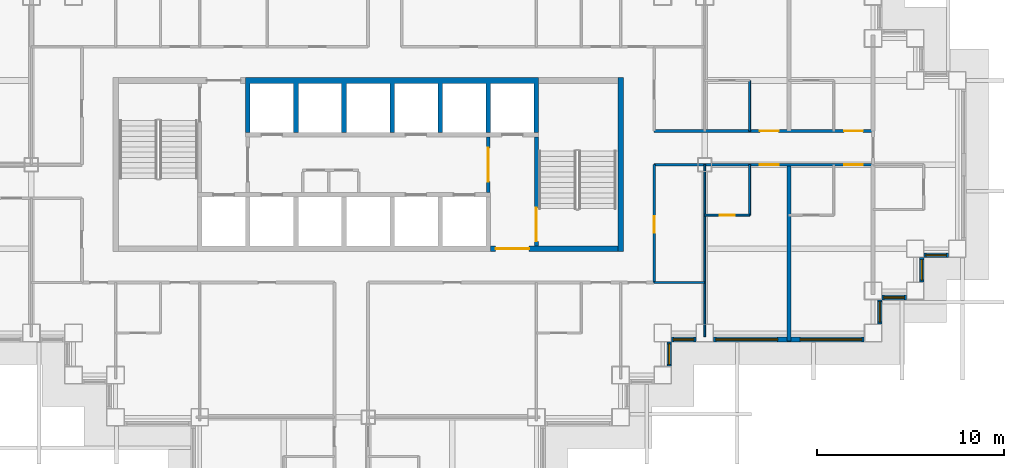
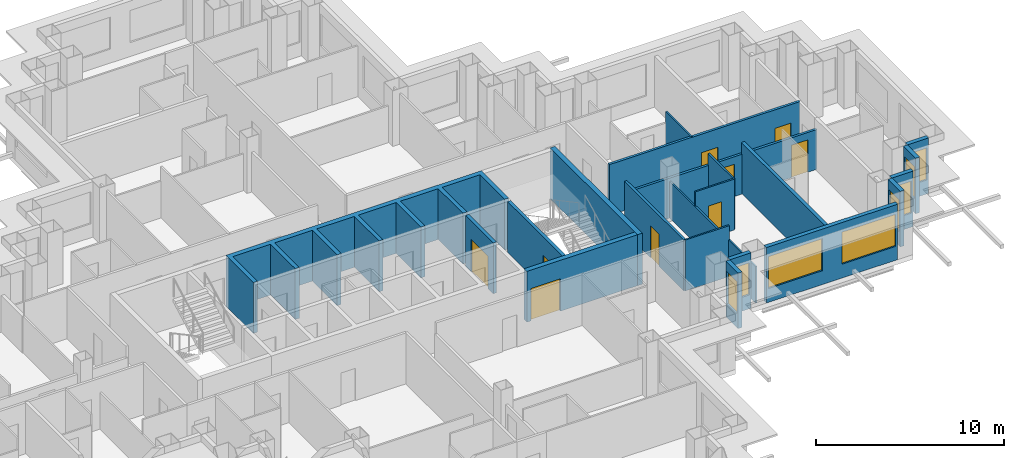
# One storey, part 6 of 15: 21 walls, 9 doors, 8 windows, 17 openings.
"""IFC4 building model written with IfcOpenShell, lengths in metres."""

from ifc_helpers import new_model, si_unit, direction, frame, frame_2d, origin, place, context, subcontext, project, spatial, polyline, rectangle, outline, extrude, material, layer, layer_set, type_object, element, fill, save


model = new_model("IFC4")

# Units and contexts
model_context = context("Model", 3, precision=1e-05, world=origin(), true_north=direction((0.0, 1.0)))
body_context = subcontext(model_context, "Body", "Model", "MODEL_VIEW")
ifc_project = project(units=[si_unit("LENGTHUNIT", "METRE"), si_unit("AREAUNIT", "SQUARE_METRE"), si_unit("VOLUMEUNIT", "CUBIC_METRE"), si_unit("PLANEANGLEUNIT", "RADIAN"), si_unit("MASSUNIT", "GRAM", prefix="KILO")], contexts=[model_context])

# Site, building, storey
site_placement = place(None, origin())
site = spatial("IfcSite", under=ifc_project, at=site_placement, CompositionType="ELEMENT")
building_placement = place(site_placement, origin())
building = spatial("IfcBuilding", under=site, at=building_placement, Name="Caravel Reach Hotel and Residences", CompositionType="ELEMENT")
storey_placement = place(building_placement, frame((0.0, 0.0, 81.60009765625)))
storey = spatial("IfcBuildingStorey", under=building, at=storey_placement, Name="L19", CompositionType="ELEMENT", Elevation=81.60009765625)

# Wall, opening, door
ifc_material_1 = material(Name="Gypsum board on steel stud", Category="steel")
ifc_layer_1 = layer(ifc_material_1, 0.10009765625)
ifc_layer_set_1 = layer_set([ifc_layer_1], Name="Bathroom pod wall 100 mm")
wall_type_1 = type_object("IfcWallType", Name="Bathroom pod wall 100 mm", PredefinedType="PARTITIONING", material=ifc_layer_set_1)
wall_1_placement = place(storey_placement, frame((49.5, 24.300048828125, 0.0), z_axis=(0.0, 0.0, 1.0), x_axis=(1.0, 0.0, 0.0)))
wall_1 = element("IfcWall", 1, at=wall_1_placement, inside=storey, type_object=wall_type_1, Name="L19 wall w088", PredefinedType="PARTITIONING", context=body_context, shape_type="SweptSolid", body=[
    extrude(rectangle(XDim=2.39990234375, YDim=0.10009765625, at=frame_2d((1.199951171875, 0.0))), origin(), (0.0, 0.0, 1.0), 3.2998046875),
])
opening_1_placement = place(wall_1_placement, frame((0.800048828125, 0.0, 0.0)))
opening_1 = element("IfcOpeningElement", 2, at=opening_1_placement, cuts=wall_1, Name="Opening D19-024", PredefinedType="OPENING", context=body_context, shape_type="SweptSolid", body=[
    extrude(rectangle(XDim=0.800048828125, YDim=2.10009765625, at=frame_2d((0.39990234375, 1.050048828125))), frame((0.0, 0.06005859375, 0.0), z_axis=(0.0, -1.0, 0.0), x_axis=(1.0, 0.0, 0.0)), (0.0, 0.0, 1.0), 0.1201171875),
])
ifc_material_2 = material(Name="Timber and steel door leaf", Category="steel")
door_type_1 = type_object("IfcDoorType", Name="Bathroom door 800 x 2100", OperationType="SINGLE_SWING_LEFT", PredefinedType="DOOR", material=ifc_material_2)
door_1_placement = place(opening_1_placement, origin())
door_1 = element("IfcDoor", 3, at=door_1_placement, inside=storey, type_object=door_type_1, Name="door D19-024", OperationType="SINGLE_SWING_RIGHT", OverallHeight=2.10009765625, OverallWidth=0.800048828125, PredefinedType="DOOR", context=body_context, shape_type="SweptSolid", body=[
    extrude(rectangle(XDim=0.800048828125, YDim=2.10009765625, at=frame_2d((0.39990234375, 1.050048828125))), frame((0.0, 0.02490234375, 0.0), z_axis=(0.0, -1.0, 0.0), x_axis=(1.0, 0.0, 0.0)), (0.0, 0.0, 1.0), 0.050048828125),
])
fill(opening_1, door_1)

# Walls
for number, where, z_axis, x_axis, name in (
    (4, (51.89990234375, 28.800048828125, 0.0), (0.0, 0.0, 1.0), (0.0, 1.0, 0.0), "L19 wall w111"),
    (5, (51.89990234375, 24.300048828125, 0.0), (0.0, 0.0, 1.0), (0.0, 1.0, 0.0), "L19 wall w112"),
):
    element("IfcWall", number, at=place(storey_placement, frame(where, z_axis=z_axis, x_axis=x_axis)), inside=storey, type_object=wall_type_1, Name=name, PredefinedType="PARTITIONING", context=body_context, shape_type="SweptSolid", body=[
        extrude(rectangle(XDim=2.699951171875, YDim=0.10009765625, at=frame_2d((1.35009765625, 0.0))), origin(), (0.0, 0.0, 1.0), 3.2998046875),
    ])

# Wall, opening, door
ifc_material_3 = material(Name="Concrete C60", Category="concrete")
ifc_layer_2 = layer(ifc_material_3, 0.300048828125)
ifc_layer_set_2 = layer_set([ifc_layer_2], Name="Core wall 300 mm EI 120")
wall_type_2 = type_object("IfcWallType", Name="Core wall 300 mm EI 120", PredefinedType="SHEAR", material=ifc_layer_set_2)
wall_2_placement = place(storey_placement, frame((38.053466796875, 22.5, 0.0), z_axis=(0.0, 0.0, 1.0), x_axis=(1.0, 0.0, 0.0)))
wall_2 = element("IfcWall", 6, at=wall_2_placement, inside=storey, type_object=wall_type_2, Name="L19 core wall S2", PredefinedType="SHEAR", context=body_context, shape_type="SweptSolid", body=[
    extrude(rectangle(XDim=6.796630859375, YDim=0.300048828125, at=frame_2d((3.3984375, 0.0))), origin(), (0.0, 0.0, 1.0), 3.2998046875),
])
opening_2_placement = place(wall_2_placement, frame((0.2607421875, 0.0, 0.0)))
opening_2 = element("IfcOpeningElement", 7, at=opening_2_placement, cuts=wall_2, Name="Opening D19-015", PredefinedType="OPENING", context=body_context, shape_type="SweptSolid", body=[
    extrude(rectangle(XDim=1.800048828125, YDim=2.10009765625, at=frame_2d((0.89990234375, 1.050048828125))), frame((0.0, 0.159912109375, 0.0), z_axis=(0.0, -1.0, 0.0), x_axis=(1.0, 0.0, 0.0)), (0.0, 0.0, 1.0), 0.320068359375),
])
ifc_material_4 = material(Name="Steel fire door leaf", Category="steel")
door_type_2 = type_object("IfcDoorType", Name="Fire lobby door pair 1800 x 2100 EI 90", OperationType="DOUBLE_DOOR_SINGLE_SWING", PredefinedType="DOOR", material=ifc_material_4)
door_2_placement = place(opening_2_placement, origin())
door_2 = element("IfcDoor", 8, at=door_2_placement, inside=storey, type_object=door_type_2, Name="lobby S door pair to corridor", OperationType="DOUBLE_DOOR_SINGLE_SWING", OverallHeight=2.10009765625, OverallWidth=1.800048828125, PredefinedType="DOOR", context=body_context, shape_type="SweptSolid", body=[
    extrude(rectangle(XDim=1.800048828125, YDim=2.10009765625, at=frame_2d((0.89990234375, 1.050048828125))), frame((0.0, 0.02490234375, 0.0), z_axis=(0.0, -1.0, 0.0), x_axis=(1.0, 0.0, 0.0)), (0.0, 0.0, 1.0), 0.050048828125),
])
fill(opening_2, door_2)

# Wall
wall_3_placement = place(storey_placement, frame((45.0, 22.35009765625, 0.0), z_axis=(0.0, 0.0, 1.0), x_axis=(0.0, 1.0, 0.0)))
element("IfcWall", 9, at=wall_3_placement, inside=storey, type_object=wall_type_2, Name="L19 core wall E", PredefinedType="SHEAR", context=body_context, shape_type="SweptSolid", body=[
    extrude(rectangle(XDim=9.2998046875, YDim=0.300048828125, at=frame_2d((4.64990234375, 0.0))), origin(), (0.0, 0.0, 1.0), 3.2998046875),
])

# Wall, openings, doors
ifc_material_5 = material(Name="Gypsum board on steel stud, fire-rated", Category="steel")
ifc_layer_3 = layer(ifc_material_5, 0.14990234375)
ifc_layer_set_3 = layer_set([ifc_layer_3], Name="Corridor wall 150 mm EI 60")
wall_type_3 = type_object("IfcWallType", Name="Corridor wall 150 mm EI 60", PredefinedType="PARTITIONING", material=ifc_layer_set_3)
wall_4_placement = place(storey_placement, frame((46.800048828125, 27.0, 0.0), z_axis=(0.0, 0.0, 1.0), x_axis=(1.0, 0.0, 0.0)))
wall_4 = element("IfcWall", 10, at=wall_4_placement, inside=storey, type_object=wall_type_3, Name="L19 wall w012", PredefinedType="PARTITIONING", context=body_context, shape_type="SweptSolid", body=[
    extrude(rectangle(XDim=11.699951171875, YDim=0.14990234375, at=frame_2d((5.85009765625, 0.0))), origin(), (0.0, 0.0, 1.0), 2.579833984375),
])
opening_3_placement = place(wall_4_placement, frame((5.64990234375, 0.0, 0.0)))
opening_3 = element("IfcOpeningElement", 11, at=opening_3_placement, cuts=wall_4, Name="Opening D19-023", PredefinedType="OPENING", context=body_context, shape_type="SweptSolid", body=[
    extrude(rectangle(XDim=1.0, YDim=2.10009765625, at=frame_2d((0.5, 1.050048828125))), frame((0.0, 0.0849609375, 0.0), z_axis=(0.0, -1.0, 0.0), x_axis=(1.0, 0.0, 0.0)), (0.0, 0.0, 1.0), 0.169921875),
])
opening_4_placement = place(wall_4_placement, frame((10.14990234375, 0.0, 0.0)))
opening_4 = element("IfcOpeningElement", 12, at=opening_4_placement, cuts=wall_4, Name="Opening D19-025", PredefinedType="OPENING", context=body_context, shape_type="SweptSolid", body=[
    extrude(rectangle(XDim=1.0, YDim=2.10009765625, at=frame_2d((0.5, 1.050048828125))), frame((0.0, 0.0849609375, 0.0), z_axis=(0.0, -1.0, 0.0), x_axis=(1.0, 0.0, 0.0)), (0.0, 0.0, 1.0), 0.169921875),
])
ifc_material_6 = material(Name="Steel fire door leaf", Category="steel")
door_type_3 = type_object("IfcDoorType", Name="Guest room door 1000 x 2100 EI 30", OperationType="SINGLE_SWING_LEFT", PredefinedType="DOOR", material=ifc_material_6)
door_3_placement = place(opening_3_placement, origin())
door_3 = element("IfcDoor", 13, at=door_3_placement, inside=storey, type_object=door_type_3, Name="door D19-023", OperationType="SINGLE_SWING_RIGHT", OverallHeight=2.10009765625, OverallWidth=1.0, PredefinedType="DOOR", context=body_context, shape_type="SweptSolid", body=[
    extrude(rectangle(XDim=1.0, YDim=2.10009765625, at=frame_2d((0.5, 1.050048828125))), frame((0.0, 0.02490234375, 0.0), z_axis=(0.0, -1.0, 0.0), x_axis=(1.0, 0.0, 0.0)), (0.0, 0.0, 1.0), 0.050048828125),
])
fill(opening_3, door_3)
door_4_placement = place(opening_4_placement, origin())
door_4 = element("IfcDoor", 14, at=door_4_placement, inside=storey, type_object=door_type_3, Name="door D19-025", OperationType="SINGLE_SWING_RIGHT", OverallHeight=2.10009765625, OverallWidth=1.0, PredefinedType="DOOR", context=body_context, shape_type="SweptSolid", body=[
    extrude(rectangle(XDim=1.0, YDim=2.10009765625, at=frame_2d((0.5, 1.050048828125))), frame((0.0, 0.02490234375, 0.0), z_axis=(0.0, -1.0, 0.0), x_axis=(1.0, 0.0, 0.0)), (0.0, 0.0, 1.0), 0.050048828125),
])
fill(opening_4, door_4)

wall_5_placement = place(storey_placement, frame((46.800048828125, 28.800048828125, 0.0), z_axis=(0.0, 0.0, 1.0), x_axis=(1.0, 0.0, 0.0)))
wall_5 = element("IfcWall", 15, at=wall_5_placement, inside=storey, type_object=wall_type_3, Name="L19 wall w018", PredefinedType="PARTITIONING", context=body_context, shape_type="SweptSolid", body=[
    extrude(rectangle(XDim=11.699951171875, YDim=0.14990234375, at=frame_2d((5.85009765625, 0.0))), origin(), (0.0, 0.0, 1.0), 3.2998046875),
])
opening_5_placement = place(wall_5_placement, frame((5.64990234375, 0.0, 0.0)))
opening_5 = element("IfcOpeningElement", 16, at=opening_5_placement, cuts=wall_5, Name="Opening D19-027", PredefinedType="OPENING", context=body_context, shape_type="SweptSolid", body=[
    extrude(rectangle(XDim=1.0, YDim=2.10009765625, at=frame_2d((0.5, 1.050048828125))), frame((0.0, 0.0849609375, 0.0), z_axis=(0.0, -1.0, 0.0), x_axis=(1.0, 0.0, 0.0)), (0.0, 0.0, 1.0), 0.169921875),
])
opening_6_placement = place(wall_5_placement, frame((10.14990234375, 0.0, 0.0)))
opening_6 = element("IfcOpeningElement", 17, at=opening_6_placement, cuts=wall_5, Name="Opening D19-029", PredefinedType="OPENING", context=body_context, shape_type="SweptSolid", body=[
    extrude(rectangle(XDim=1.0, YDim=2.10009765625, at=frame_2d((0.5, 1.050048828125))), frame((0.0, 0.0849609375, 0.0), z_axis=(0.0, -1.0, 0.0), x_axis=(1.0, 0.0, 0.0)), (0.0, 0.0, 1.0), 0.169921875),
])
door_5_placement = place(opening_5_placement, origin())
door_5 = element("IfcDoor", 18, at=door_5_placement, inside=storey, type_object=door_type_3, Name="door D19-027", OperationType="SINGLE_SWING_RIGHT", OverallHeight=2.10009765625, OverallWidth=1.0, PredefinedType="DOOR", context=body_context, shape_type="SweptSolid", body=[
    extrude(rectangle(XDim=1.0, YDim=2.10009765625, at=frame_2d((0.5, 1.050048828125))), frame((0.0, 0.02490234375, 0.0), z_axis=(0.0, -1.0, 0.0), x_axis=(1.0, 0.0, 0.0)), (0.0, 0.0, 1.0), 0.050048828125),
])
fill(opening_5, door_5)
door_6_placement = place(opening_6_placement, origin())
door_6 = element("IfcDoor", 19, at=door_6_placement, inside=storey, type_object=door_type_3, Name="door D19-029", OperationType="SINGLE_SWING_RIGHT", OverallHeight=2.10009765625, OverallWidth=1.0, PredefinedType="DOOR", context=body_context, shape_type="SweptSolid", body=[
    extrude(rectangle(XDim=1.0, YDim=2.10009765625, at=frame_2d((0.5, 1.050048828125))), frame((0.0, 0.02490234375, 0.0), z_axis=(0.0, -1.0, 0.0), x_axis=(1.0, 0.0, 0.0)), (0.0, 0.0, 1.0), 0.050048828125),
])
fill(opening_6, door_6)

# Wall, opening, door
wall_6_placement = place(storey_placement, frame((46.800048828125, 20.699951171875, 0.0), z_axis=(0.0, 0.0, 1.0), x_axis=(0.0, 1.0, 0.0)))
wall_6 = element("IfcWall", 20, at=wall_6_placement, inside=storey, type_object=wall_type_3, Name="L19 wall w041", PredefinedType="PARTITIONING", context=body_context, shape_type="SweptSolid", body=[
    extrude(rectangle(XDim=6.300048828125, YDim=0.14990234375, at=frame_2d((3.14990234375, 0.0))), origin(), (0.0, 0.0, 1.0), 3.2998046875),
])
opening_7_placement = place(wall_6_placement, frame((2.64990234375, 0.0, 0.0)))
opening_7 = element("IfcOpeningElement", 21, at=opening_7_placement, cuts=wall_6, Name="Opening D19-065", PredefinedType="OPENING", context=body_context, shape_type="SweptSolid", body=[
    extrude(rectangle(XDim=0.89990234375, YDim=2.10009765625, at=frame_2d((0.449951171875, 1.050048828125))), frame((0.0, 0.0849609375, 0.0), z_axis=(0.0, -1.0, 0.0), x_axis=(1.0, 0.0, 0.0)), (0.0, 0.0, 1.0), 0.169921875),
])
ifc_material_7 = material(Name="Timber and steel door leaf", Category="steel")
door_type_4 = type_object("IfcDoorType", Name="Door 900 x 2100 timber", OperationType="SINGLE_SWING_LEFT", PredefinedType="DOOR", material=ifc_material_7)
door_7_placement = place(opening_7_placement, origin())
door_7 = element("IfcDoor", 22, at=door_7_placement, inside=storey, type_object=door_type_4, Name="door D19-065", OperationType="SINGLE_SWING_RIGHT", OverallHeight=2.10009765625, OverallWidth=0.89990234375, PredefinedType="DOOR", context=body_context, shape_type="SweptSolid", body=[
    extrude(rectangle(XDim=0.89990234375, YDim=2.10009765625, at=frame_2d((0.449951171875, 1.050048828125))), frame((0.0, 0.02490234375, 0.0), z_axis=(0.0, -1.0, 0.0), x_axis=(1.0, 0.0, 0.0)), (0.0, 0.0, 1.0), 0.050048828125),
])
fill(opening_7, door_7)

# Wall, opening, window
ifc_material_8 = material(Name="Insulated rainscreen wall, aluminium cladding", Category="aluminium")
ifc_layer_4 = layer(ifc_material_8, 0.25)
ifc_layer_set_4 = layer_set([ifc_layer_4], Name="EW1 Tower rainscreen wall")
wall_type_4 = type_object("IfcWallType", Name="EW1 Tower rainscreen wall", PredefinedType="SOLIDWALL", material=ifc_layer_set_4)
wall_7_placement = place(storey_placement, frame((47.60009765625, 16.22509765625, 0.0), z_axis=(0.0, 0.0, 1.0), x_axis=(0.0, 1.0, 0.0)))
wall_7 = element("IfcWall", 23, at=wall_7_placement, inside=storey, type_object=wall_type_4, Name="External wall L19 E14.1", PredefinedType="SOLIDWALL", context=body_context, shape_type="SweptSolid", body=[
    extrude(rectangle(XDim=1.2998046875, YDim=0.25, at=frame_2d((0.64990234375, 0.0))), origin(), (0.0, 0.0, 1.0), 3.599853515625),
])
opening_8_placement = place(wall_7_placement, frame((0.10009765625, 0.0, 0.89990234375)))
opening_8 = element("IfcOpeningElement", 24, at=opening_8_placement, cuts=wall_7, Name="Opening WN5", PredefinedType="OPENING", context=body_context, shape_type="SweptSolid", body=[
    extrude(rectangle(XDim=1.10009765625, YDim=2.080078125, at=frame_2d((0.550048828125, 1.0400390625))), frame((0.0, 0.135009765625, 0.0), z_axis=(0.0, -1.0, 0.0), x_axis=(1.0, 0.0, 0.0)), (0.0, 0.0, 1.0), 0.27001953125),
])
ifc_material_9 = material(Name="Dark low-e glazing in black aluminium frame", Category="aluminium")
window_type_1 = type_object("IfcWindowType", Name="Hotel suite corner window 1100 x 2080", PartitioningType="SINGLE_PANEL", PredefinedType="WINDOW", material=ifc_material_9)
window_1_placement = place(opening_8_placement, origin())
window_1 = element("IfcWindow", 25, at=window_1_placement, inside=storey, type_object=window_type_1, Name="Window L19 E14.1.1", OverallHeight=2.080078125, OverallWidth=1.10009765625, PartitioningType="SINGLE_PANEL", PredefinedType="WINDOW", context=body_context, shape_type="SweptSolid", body=[
    extrude(rectangle(XDim=1.10009765625, YDim=2.080078125, at=frame_2d((0.550048828125, 1.0400390625))), frame((0.0, 0.030029296875, 0.0), z_axis=(0.0, -1.0, 0.0), x_axis=(1.0, 0.0, 0.0)), (0.0, 0.0, 1.0), 0.06005859375),
])
fill(opening_8, window_1)

wall_8_placement = place(storey_placement, frame((47.72509765625, 17.64990234375, 0.0), z_axis=(0.0, 0.0, 1.0), x_axis=(1.0, 0.0, 0.0)))
wall_8 = element("IfcWall", 26, at=wall_8_placement, inside=storey, type_object=wall_type_4, Name="External wall L19 S15.1", PredefinedType="SOLIDWALL", context=body_context, shape_type="SweptSolid", body=[
    extrude(rectangle(XDim=1.2998046875, YDim=0.25, at=frame_2d((0.64990234375, 0.0))), origin(), (0.0, 0.0, 1.0), 3.599853515625),
])
opening_9_placement = place(wall_8_placement, frame((0.10009765625, 0.0, 0.89990234375)))
opening_9 = element("IfcOpeningElement", 27, at=opening_9_placement, cuts=wall_8, Name="Opening WN5", PredefinedType="OPENING", context=body_context, shape_type="SweptSolid", body=[
    extrude(rectangle(XDim=1.10009765625, YDim=2.080078125, at=frame_2d((0.550048828125, 1.0400390625))), frame((0.0, 0.135009765625, 0.0), z_axis=(0.0, -1.0, 0.0), x_axis=(1.0, 0.0, 0.0)), (0.0, 0.0, 1.0), 0.27001953125),
])
window_2_placement = place(opening_9_placement, origin())
window_2 = element("IfcWindow", 28, at=window_2_placement, inside=storey, type_object=window_type_1, Name="Window L19 S15.1.1", OverallHeight=2.080078125, OverallWidth=1.10009765625, PartitioningType="SINGLE_PANEL", PredefinedType="WINDOW", context=body_context, shape_type="SweptSolid", body=[
    extrude(rectangle(XDim=1.10009765625, YDim=2.080078125, at=frame_2d((0.550048828125, 1.0400390625))), frame((0.0, 0.030029296875, 0.0), z_axis=(0.0, -1.0, 0.0), x_axis=(1.0, 0.0, 0.0)), (0.0, 0.0, 1.0), 0.06005859375),
])
fill(opening_9, window_2)

# Wall, openings, windows
wall_9_placement = place(storey_placement, frame((49.97509765625, 17.64990234375, 0.0), z_axis=(0.0, 0.0, 1.0), x_axis=(1.0, 0.0, 0.0)))
wall_9 = element("IfcWall", 29, at=wall_9_placement, inside=storey, type_object=wall_type_4, Name="External wall L19 S15.2", PredefinedType="SOLIDWALL", context=body_context, shape_type="SweptSolid", body=[
    extrude(rectangle(XDim=8.0498046875, YDim=0.25, at=frame_2d((4.02490234375, 0.0))), origin(), (0.0, 0.0, 1.0), 3.599853515625),
])
opening_10_placement = place(wall_9_placement, frame((0.125, 0.0, 0.89990234375)))
opening_10 = element("IfcOpeningElement", 30, at=opening_10_placement, cuts=wall_9, Name="Opening WN4", PredefinedType="OPENING", context=body_context, shape_type="SweptSolid", body=[
    extrude(rectangle(XDim=3.300048828125, YDim=2.080078125, at=frame_2d((1.64990234375, 1.0400390625))), frame((0.0, 0.135009765625, 0.0), z_axis=(0.0, -1.0, 0.0), x_axis=(1.0, 0.0, 0.0)), (0.0, 0.0, 1.0), 0.27001953125),
])
opening_11_placement = place(wall_9_placement, frame((4.625, 0.0, 0.89990234375)))
opening_11 = element("IfcOpeningElement", 31, at=opening_11_placement, cuts=wall_9, Name="Opening WN4", PredefinedType="OPENING", context=body_context, shape_type="SweptSolid", body=[
    extrude(rectangle(XDim=3.300048828125, YDim=2.080078125, at=frame_2d((1.64990234375, 1.0400390625))), frame((0.0, 0.135009765625, 0.0), z_axis=(0.0, -1.0, 0.0), x_axis=(1.0, 0.0, 0.0)), (0.0, 0.0, 1.0), 0.27001953125),
])
ifc_material_10 = material(Name="Dark low-e glazing in black aluminium frame", Category="aluminium")
window_type_2 = type_object("IfcWindowType", Name="Hotel guest room window 3300 x 2080", PartitioningType="SINGLE_PANEL", PredefinedType="WINDOW", material=ifc_material_10)
window_3_placement = place(opening_10_placement, origin())
window_3 = element("IfcWindow", 32, at=window_3_placement, inside=storey, type_object=window_type_2, Name="Window L19 S15.2.1", OverallHeight=2.080078125, OverallWidth=3.300048828125, PartitioningType="SINGLE_PANEL", PredefinedType="WINDOW", context=body_context, shape_type="SweptSolid", body=[
    extrude(rectangle(XDim=3.300048828125, YDim=2.080078125, at=frame_2d((1.64990234375, 1.0400390625))), frame((0.0, 0.030029296875, 0.0), z_axis=(0.0, -1.0, 0.0), x_axis=(1.0, 0.0, 0.0)), (0.0, 0.0, 1.0), 0.06005859375),
])
fill(opening_10, window_3)
window_4_placement = place(opening_11_placement, origin())
window_4 = element("IfcWindow", 33, at=window_4_placement, inside=storey, type_object=window_type_2, Name="Window L19 S15.2.2", OverallHeight=2.080078125, OverallWidth=3.300048828125, PartitioningType="SINGLE_PANEL", PredefinedType="WINDOW", context=body_context, shape_type="SweptSolid", body=[
    extrude(rectangle(XDim=3.300048828125, YDim=2.080078125, at=frame_2d((1.64990234375, 1.0400390625))), frame((0.0, 0.030029296875, 0.0), z_axis=(0.0, -1.0, 0.0), x_axis=(1.0, 0.0, 0.0)), (0.0, 0.0, 1.0), 0.06005859375),
])
fill(opening_11, window_4)

# Wall, opening, window
wall_10_placement = place(storey_placement, frame((58.85009765625, 18.47509765625, 0.0), z_axis=(0.0, 0.0, 1.0), x_axis=(0.0, 1.0, 0.0)))
wall_10 = element("IfcWall", 34, at=wall_10_placement, inside=storey, type_object=wall_type_4, Name="External wall L19 E16.1", PredefinedType="SOLIDWALL", context=body_context, shape_type="SweptSolid", body=[
    extrude(rectangle(XDim=1.2998046875, YDim=0.25, at=frame_2d((0.64990234375, 0.0))), origin(), (0.0, 0.0, 1.0), 3.599853515625),
])
opening_12_placement = place(wall_10_placement, frame((0.10009765625, 0.0, 0.89990234375)))
opening_12 = element("IfcOpeningElement", 35, at=opening_12_placement, cuts=wall_10, Name="Opening WN5", PredefinedType="OPENING", context=body_context, shape_type="SweptSolid", body=[
    extrude(rectangle(XDim=1.10009765625, YDim=2.080078125, at=frame_2d((0.550048828125, 1.0400390625))), frame((0.0, 0.135009765625, 0.0), z_axis=(0.0, -1.0, 0.0), x_axis=(1.0, 0.0, 0.0)), (0.0, 0.0, 1.0), 0.27001953125),
])
window_5_placement = place(opening_12_placement, origin())
window_5 = element("IfcWindow", 36, at=window_5_placement, inside=storey, type_object=window_type_1, Name="Window L19 E16.1.1", OverallHeight=2.080078125, OverallWidth=1.10009765625, PartitioningType="SINGLE_PANEL", PredefinedType="WINDOW", context=body_context, shape_type="SweptSolid", body=[
    extrude(rectangle(XDim=1.10009765625, YDim=2.080078125, at=frame_2d((0.550048828125, 1.0400390625))), frame((0.0, 0.030029296875, 0.0), z_axis=(0.0, -1.0, 0.0), x_axis=(1.0, 0.0, 0.0)), (0.0, 0.0, 1.0), 0.06005859375),
])
fill(opening_12, window_5)

wall_11_placement = place(storey_placement, frame((58.97509765625, 19.89990234375, 0.0), z_axis=(0.0, 0.0, 1.0), x_axis=(1.0, 0.0, 0.0)))
wall_11 = element("IfcWall", 37, at=wall_11_placement, inside=storey, type_object=wall_type_4, Name="External wall L19 S17.1", PredefinedType="SOLIDWALL", context=body_context, shape_type="SweptSolid", body=[
    extrude(rectangle(XDim=1.2998046875, YDim=0.25, at=frame_2d((0.64990234375, 0.0))), origin(), (0.0, 0.0, 1.0), 3.599853515625),
])
opening_13_placement = place(wall_11_placement, frame((0.10009765625, 0.0, 0.89990234375)))
opening_13 = element("IfcOpeningElement", 38, at=opening_13_placement, cuts=wall_11, Name="Opening WN5", PredefinedType="OPENING", context=body_context, shape_type="SweptSolid", body=[
    extrude(rectangle(XDim=1.10009765625, YDim=2.080078125, at=frame_2d((0.550048828125, 1.0400390625))), frame((0.0, 0.135009765625, 0.0), z_axis=(0.0, -1.0, 0.0), x_axis=(1.0, 0.0, 0.0)), (0.0, 0.0, 1.0), 0.27001953125),
])
window_6_placement = place(opening_13_placement, origin())
window_6 = element("IfcWindow", 39, at=window_6_placement, inside=storey, type_object=window_type_1, Name="Window L19 S17.1.1", OverallHeight=2.080078125, OverallWidth=1.10009765625, PartitioningType="SINGLE_PANEL", PredefinedType="WINDOW", context=body_context, shape_type="SweptSolid", body=[
    extrude(rectangle(XDim=1.10009765625, YDim=2.080078125, at=frame_2d((0.550048828125, 1.0400390625))), frame((0.0, 0.030029296875, 0.0), z_axis=(0.0, -1.0, 0.0), x_axis=(1.0, 0.0, 0.0)), (0.0, 0.0, 1.0), 0.06005859375),
])
fill(opening_13, window_6)

wall_12_placement = place(storey_placement, frame((61.10009765625, 20.72509765625, 0.0), z_axis=(0.0, 0.0, 1.0), x_axis=(0.0, 1.0, 0.0)))
wall_12 = element("IfcWall", 40, at=wall_12_placement, inside=storey, type_object=wall_type_4, Name="External wall L19 E18.1", PredefinedType="SOLIDWALL", context=body_context, shape_type="SweptSolid", body=[
    extrude(rectangle(XDim=1.2998046875, YDim=0.25, at=frame_2d((0.64990234375, 0.0))), origin(), (0.0, 0.0, 1.0), 3.599853515625),
])
opening_14_placement = place(wall_12_placement, frame((0.10009765625, 0.0, 0.89990234375)))
opening_14 = element("IfcOpeningElement", 41, at=opening_14_placement, cuts=wall_12, Name="Opening WN5", PredefinedType="OPENING", context=body_context, shape_type="SweptSolid", body=[
    extrude(rectangle(XDim=1.10009765625, YDim=2.080078125, at=frame_2d((0.550048828125, 1.0400390625))), frame((0.0, 0.135009765625, 0.0), z_axis=(0.0, -1.0, 0.0), x_axis=(1.0, 0.0, 0.0)), (0.0, 0.0, 1.0), 0.27001953125),
])
window_7_placement = place(opening_14_placement, origin())
window_7 = element("IfcWindow", 42, at=window_7_placement, inside=storey, type_object=window_type_1, Name="Window L19 E18.1.1", OverallHeight=2.080078125, OverallWidth=1.10009765625, PartitioningType="SINGLE_PANEL", PredefinedType="WINDOW", context=body_context, shape_type="SweptSolid", body=[
    extrude(rectangle(XDim=1.10009765625, YDim=2.080078125, at=frame_2d((0.550048828125, 1.0400390625))), frame((0.0, 0.030029296875, 0.0), z_axis=(0.0, -1.0, 0.0), x_axis=(1.0, 0.0, 0.0)), (0.0, 0.0, 1.0), 0.06005859375),
])
fill(opening_14, window_7)

wall_13_placement = place(storey_placement, frame((61.22509765625, 22.14990234375, 0.0), z_axis=(0.0, 0.0, 1.0), x_axis=(1.0, 0.0, 0.0)))
wall_13 = element("IfcWall", 43, at=wall_13_placement, inside=storey, type_object=wall_type_4, Name="External wall L19 S19.1", PredefinedType="SOLIDWALL", context=body_context, shape_type="SweptSolid", body=[
    extrude(rectangle(XDim=1.2998046875, YDim=0.25, at=frame_2d((0.64990234375, 0.0))), origin(), (0.0, 0.0, 1.0), 3.599853515625),
])
opening_15_placement = place(wall_13_placement, frame((0.10009765625, 0.0, 0.89990234375)))
opening_15 = element("IfcOpeningElement", 44, at=opening_15_placement, cuts=wall_13, Name="Opening WN5", PredefinedType="OPENING", context=body_context, shape_type="SweptSolid", body=[
    extrude(rectangle(XDim=1.10009765625, YDim=2.080078125, at=frame_2d((0.550048828125, 1.0400390625))), frame((0.0, 0.135009765625, 0.0), z_axis=(0.0, -1.0, 0.0), x_axis=(1.0, 0.0, 0.0)), (0.0, 0.0, 1.0), 0.27001953125),
])
window_8_placement = place(opening_15_placement, origin())
window_8 = element("IfcWindow", 45, at=window_8_placement, inside=storey, type_object=window_type_1, Name="Window L19 S19.1.1", OverallHeight=2.080078125, OverallWidth=1.10009765625, PartitioningType="SINGLE_PANEL", PredefinedType="WINDOW", context=body_context, shape_type="SweptSolid", body=[
    extrude(rectangle(XDim=1.10009765625, YDim=2.080078125, at=frame_2d((0.550048828125, 1.0400390625))), frame((0.0, 0.030029296875, 0.0), z_axis=(0.0, -1.0, 0.0), x_axis=(1.0, 0.0, 0.0)), (0.0, 0.0, 1.0), 0.06005859375),
])
fill(opening_15, window_8)

# Wall, opening, door
ifc_material_11 = material(Name="Autoclaved aerated block wall")
ifc_layer_5 = layer(ifc_material_11, 0.199951171875)
ifc_layer_set_5 = layer_set([ifc_layer_5], Name="Fire lobby wall 200 mm EI 120")
wall_type_5 = type_object("IfcWallType", Name="Fire lobby wall 200 mm EI 120", PredefinedType="PARTITIONING", material=ifc_layer_set_5)
wall_14_placement = place(storey_placement, frame((37.928466796875, 25.52490234375, 0.0), z_axis=(0.0, 0.0, 1.0), x_axis=(0.0, 1.0, 0.0)))
wall_14 = element("IfcWall", 46, at=wall_14_placement, inside=storey, type_object=wall_type_5, Name="L19 lobby E wall", PredefinedType="PARTITIONING", context=body_context, shape_type="SweptSolid", body=[
    extrude(rectangle(XDim=2.9501953125, YDim=0.199951171875, at=frame_2d((1.47509765625, 0.0))), origin(), (0.0, 0.0, 1.0), 3.2998046875),
])
opening_16_placement = place(wall_14_placement, frame((0.574951171875, 0.0, 0.0)))
opening_16 = element("IfcOpeningElement", 47, at=opening_16_placement, cuts=wall_14, Name="Opening D19-013", PredefinedType="OPENING", context=body_context, shape_type="SweptSolid", body=[
    extrude(rectangle(XDim=1.800048828125, YDim=2.10009765625, at=frame_2d((0.89990234375, 1.050048828125))), frame((0.0, 0.10986328125, 0.0), z_axis=(0.0, -1.0, 0.0), x_axis=(1.0, 0.0, 0.0)), (0.0, 0.0, 1.0), 0.219970703125),
])
door_8_placement = place(opening_16_placement, origin())
door_8 = element("IfcDoor", 48, at=door_8_placement, inside=storey, type_object=door_type_2, Name="lobby E door pair", OperationType="DOUBLE_DOOR_SINGLE_SWING", OverallHeight=2.10009765625, OverallWidth=1.800048828125, PredefinedType="DOOR", context=body_context, shape_type="SweptSolid", body=[
    extrude(rectangle(XDim=1.800048828125, YDim=2.10009765625, at=frame_2d((0.89990234375, 1.050048828125))), frame((0.0, 0.02490234375, 0.0), z_axis=(0.0, -1.0, 0.0), x_axis=(1.0, 0.0, 0.0)), (0.0, 0.0, 1.0), 0.050048828125),
])
fill(opening_16, door_8)

# Walls
ifc_material_12 = material(Name="Gypsum board on steel stud", Category="steel")
ifc_layer_6 = layer(ifc_material_12, 0.10009765625)
ifc_layer_set_6 = layer_set([ifc_layer_6], Name="Partition 100 mm")
wall_type_6 = type_object("IfcWallType", Name="Partition 100 mm", PredefinedType="PARTITIONING", material=ifc_layer_set_6)
wall_15_placement = place(storey_placement, frame((46.800048828125, 20.699951171875, 0.0), z_axis=(0.0, 0.0, 1.0), x_axis=(1.0, 0.0, 0.0)))
element("IfcWall", 49, at=wall_15_placement, inside=storey, type_object=wall_type_6, Name="L19 wall w046", PredefinedType="PARTITIONING", context=body_context, shape_type="SweptSolid", body=[
    extrude(rectangle(XDim=2.699951171875, YDim=0.10009765625, at=frame_2d((1.35009765625, 0.0))), origin(), (0.0, 0.0, 1.0), 3.2998046875),
])
wall_16_placement = place(storey_placement, frame((49.5, 17.81005859375, 0.0), z_axis=(0.0, 0.0, 1.0), x_axis=(0.0, 1.0, 0.0)))
element("IfcWall", 50, at=wall_16_placement, inside=storey, type_object=wall_type_6, Name="L19 wall w073", PredefinedType="PARTITIONING", context=body_context, shape_type="SweptSolid", body=[
    extrude(rectangle(XDim=9.18994140625, YDim=0.10009765625, at=frame_2d((4.594970703125, 0.0))), origin(), (0.0, 0.0, 1.0), 2.3798828125),
])
ifc_material_13 = material(Name="Autoclaved aerated block wall")
ifc_layer_7 = layer(ifc_material_13, 0.199951171875)
ifc_layer_set_7 = layer_set([ifc_layer_7], Name="Party wall 200 mm EI 60")
wall_type_7 = type_object("IfcWallType", Name="Party wall 200 mm EI 60", PredefinedType="PARTITIONING", material=ifc_layer_set_7)
wall_17_placement = place(storey_placement, frame((54.0, 17.5849609375, 0.0), z_axis=(0.0, 0.0, 1.0), x_axis=(0.0, 1.0, 0.0)))
element("IfcWall", 51, at=wall_17_placement, inside=storey, type_object=wall_type_7, Name="L19 wall w078", PredefinedType="PARTITIONING", context=body_context, shape_type="SweptSolid", body=[
    extrude(rectangle(XDim=9.4150390625, YDim=0.199951171875, at=frame_2d((4.70751953125, 0.0))), origin(), (0.0, 0.0, 1.0), 3.2998046875),
])
ifc_material_14 = material(Name="Concrete C60", Category="concrete")
ifc_layer_8 = layer(ifc_material_14, 0.25)
ifc_layer_set_8 = layer_set([ifc_layer_8], Name="Shaft wall 250 mm EI 120")
wall_type_8 = type_object("IfcWallType", Name="Shaft wall 250 mm EI 120", PredefinedType="SHEAR", material=ifc_layer_set_8)
wall_18_placement = place(storey_placement, origin())
element("IfcWall", 52, at=wall_18_placement, inside=storey, type_object=wall_type_8, Name="L19 lift shaft wall N1", PredefinedType="SHEAR", context=body_context, shape_type="SweptSolid", body=[
    extrude(outline(polyline([(24.946533203125, 28.72509765625), (25.196533203125, 28.72509765625), (25.196533203125, 31.35009765625), (27.517822265625, 31.35009765625), (27.517822265625, 28.72509765625), (27.767822265625, 28.72509765625), (27.767822265625, 31.35009765625), (30.08935546875, 31.35009765625), (30.08935546875, 28.72509765625), (30.33935546875, 28.72509765625), (30.33935546875, 31.35009765625), (32.66064453125, 31.35009765625), (32.66064453125, 28.72509765625), (32.91064453125, 28.72509765625), (32.91064453125, 31.35009765625), (35.232177734375, 31.35009765625), (35.232177734375, 28.72509765625), (35.482177734375, 28.72509765625), (35.482177734375, 31.35009765625), (37.803466796875, 31.35009765625), (37.803466796875, 28.72509765625), (38.053466796875, 28.72509765625), (38.053466796875, 31.35009765625), (40.375, 31.35009765625), (40.375, 28.72509765625), (40.625, 28.72509765625), (40.625, 31.64990234375), (24.946533203125, 31.64990234375), (24.946533203125, 28.72509765625)])), origin(), (0.0, 0.0, 1.0), 3.2998046875),
])

# Wall, opening, door
ifc_material_15 = material(Name="Concrete C60", Category="concrete")
ifc_layer_9 = layer(ifc_material_15, 0.199951171875)
ifc_layer_set_9 = layer_set([ifc_layer_9], Name="Stair enclosure wall 200 mm EI 120")
wall_type_9 = type_object("IfcWallType", Name="Stair enclosure wall 200 mm EI 120", PredefinedType="SHEAR", material=ifc_layer_set_9)
wall_19_placement = place(storey_placement, frame((40.5, 22.64990234375, 0.0), z_axis=(0.0, 0.0, 1.0), x_axis=(0.0, 1.0, 0.0)))
wall_19 = element("IfcWall", 53, at=wall_19_placement, inside=storey, type_object=wall_type_9, Name="L19 stair B wall", PredefinedType="SHEAR", context=body_context, shape_type="SweptSolid", body=[
    extrude(rectangle(XDim=5.8251953125, YDim=0.199951171875, at=frame_2d((2.91259765625, 0.0))), origin(), (0.0, 0.0, 1.0), 3.2998046875),
])
opening_17_placement = place(wall_19_placement, frame((0.25, 0.0, 0.0)))
opening_17 = element("IfcOpeningElement", 54, at=opening_17_placement, cuts=wall_19, Name="Opening D19-011", PredefinedType="OPENING", context=body_context, shape_type="SweptSolid", body=[
    extrude(rectangle(XDim=1.800048828125, YDim=2.10009765625, at=frame_2d((0.89990234375, 1.050048828125))), frame((0.0, 0.10986328125, 0.0), z_axis=(0.0, -1.0, 0.0), x_axis=(1.0, 0.0, 0.0)), (0.0, 0.0, 1.0), 0.219970703125),
])
ifc_material_16 = material(Name="Steel fire door leaf", Category="steel")
door_type_5 = type_object("IfcDoorType", Name="Stair door pair 1800 x 2100 EI 90", OperationType="DOUBLE_DOOR_SINGLE_SWING", PredefinedType="DOOR", material=ifc_material_16)
door_9_placement = place(opening_17_placement, origin())
door_9 = element("IfcDoor", 55, at=door_9_placement, inside=storey, type_object=door_type_5, Name="stair B door pair", OperationType="DOUBLE_DOOR_SINGLE_SWING", OverallHeight=2.10009765625, OverallWidth=1.800048828125, PredefinedType="DOOR", context=body_context, shape_type="SweptSolid", body=[
    extrude(rectangle(XDim=1.800048828125, YDim=2.10009765625, at=frame_2d((0.89990234375, 1.050048828125))), frame((0.0, 0.02490234375, 0.0), z_axis=(0.0, -1.0, 0.0), x_axis=(1.0, 0.0, 0.0)), (0.0, 0.0, 1.0), 0.050048828125),
])
fill(opening_17, door_9)

save(model, "model.ifc")
